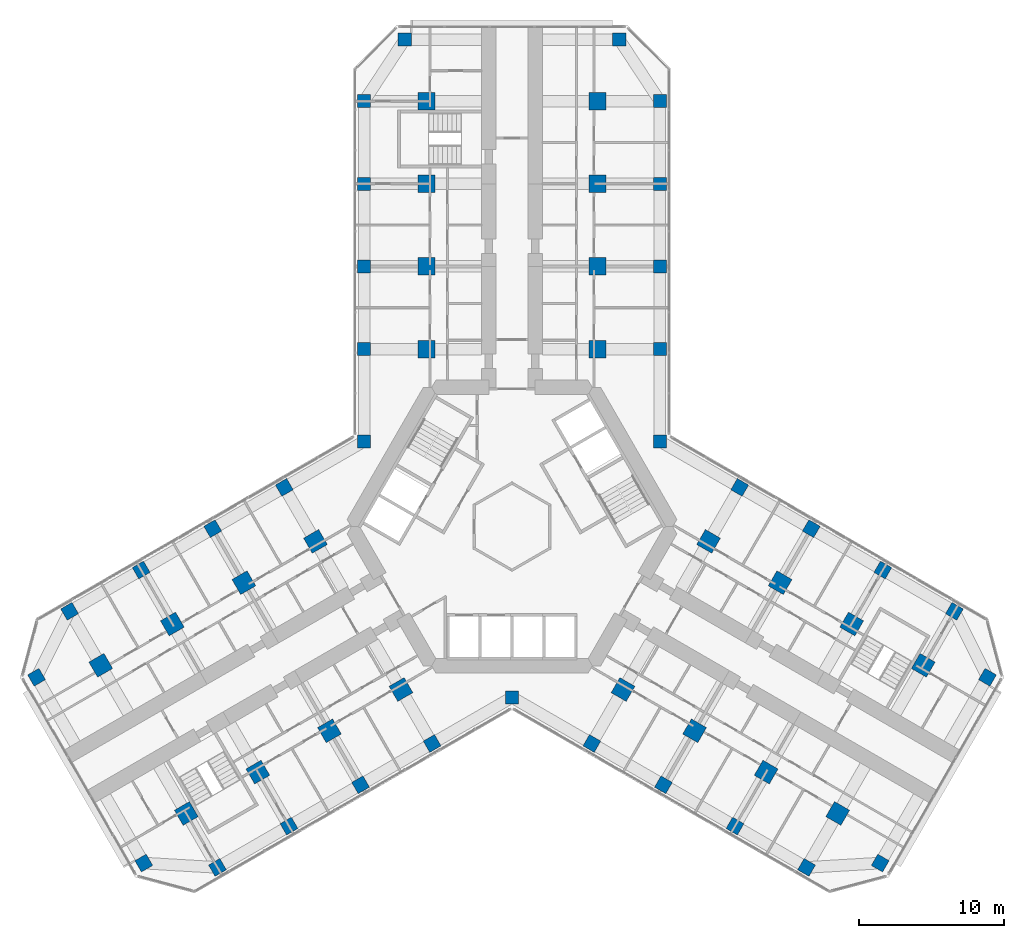
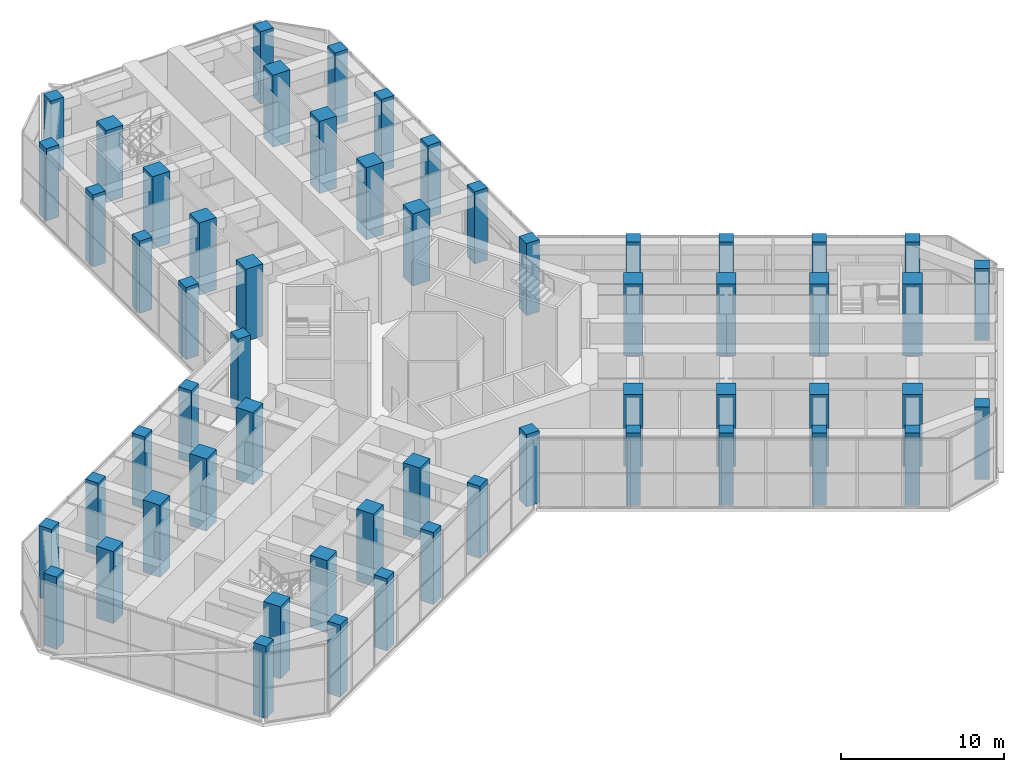
# One storey, part 1 of 23: 57 columns.
"""IFC4 building model written with IfcOpenShell, lengths in metres."""

import ifcopenshell
import ifcopenshell.guid

model = None  # the IFC model being written
_history = None  # IfcOwnerHistory: only IFC2X3 demands one
_inside = {}  # id of a spatial element -> (the spatial element, [elements in it])
_under = {}  # id of a project, library or spatial element -> (it, [spatial elements below it])
_declared = {}  # id of a project -> (the project, [libraries it declares])
_typed = {}  # id of a type object -> (the type object, [elements of that type])
_made_of = {}  # id of a material, layer set ... -> (it, [elements and type objects made of it])


def new_model(schema):
    """Start an empty IFC model of exactly this schema.

    Asked for "IFC4X3", IfcOpenShell would pick the latest addendum, in which some entities
    have other attributes; the version numbers below select the first issue.
    IFC2X3 requires an IfcOwnerHistory on every rooted entity: one is made here for all.
    """
    global model, _history
    if schema == "IFC4X3":
        model = ifcopenshell.file(schema_version=(4, 3, 0, 0))
    else:
        model = ifcopenshell.file(schema=schema)
    _inside.clear()
    _under.clear()
    _declared.clear()
    _typed.clear()
    _made_of.clear()
    _history = None
    if model.schema == "IFC2X3":
        org = make("IfcOrganization", Name="unknown")
        user = make(
            "IfcPersonAndOrganization",
            ThePerson=make("IfcPerson", FamilyName="unknown"),
            TheOrganization=org,
        )
        app = make(
            "IfcApplication",
            ApplicationDeveloper=org,
            Version="unknown",
            ApplicationFullName="unknown",
            ApplicationIdentifier="unknown",
        )
        _history = make(
            "IfcOwnerHistory",
            OwningUser=user,
            OwningApplication=app,
            ChangeAction="ADDED",
            CreationDate=0,
        )
    return model


def make(cls, **values):
    """One entity of the class cls with the attributes given. An attribute that is None is left unset."""
    return model.create_entity(
        cls, **{name: value for name, value in values.items() if value is not None}
    )


def rooted(cls, **values):
    """An entity with a GlobalId (a new one), such as an element, a storey or a relation."""
    return make(cls, GlobalId=ifcopenshell.guid.new(), OwnerHistory=_history, **values)


def si_unit(unit_type, name, prefix=None):
    """IfcSIUnit, for example si_unit("LENGTHUNIT", "METRE", prefix="MILLI")."""
    return make("IfcSIUnit", UnitType=unit_type, Prefix=prefix, Name=name)


def assignment(units):
    """IfcUnitAssignment: the units of a project."""
    return None if units is None else make("IfcUnitAssignment", Units=units)


def point(xyz):
    """IfcCartesianPoint."""
    return None if xyz is None else make("IfcCartesianPoint", Coordinates=xyz)


def direction(xyz):
    """IfcDirection."""
    return None if xyz is None else make("IfcDirection", DirectionRatios=xyz)


def frame(location, z_axis=None, x_axis=None):
    """IfcAxis2Placement3D, a coordinate frame: its origin and axes. An axis left out is left unset."""
    return make(
        "IfcAxis2Placement3D",
        Location=point(location),
        Axis=direction(z_axis),
        RefDirection=direction(x_axis),
    )


def frame_2d(location, x_axis=None):
    """IfcAxis2Placement2D, a coordinate frame in the plane: its origin and x axis."""
    return make(
        "IfcAxis2Placement2D", Location=point(location), RefDirection=direction(x_axis)
    )


def origin():
    """The frame at (0, 0, 0) with its axes left unset."""
    return frame((0.0, 0.0, 0.0))


def origin_2d():
    """The frame at (0, 0) in the plane with its x axis left unset."""
    return frame_2d((0.0, 0.0))


def place(relative_to, where):
    """IfcLocalPlacement: puts the frame where relative to a parent placement (None: the world)."""
    return make(
        "IfcLocalPlacement", PlacementRelTo=relative_to, RelativePlacement=where
    )


def context(
    kind, dimensions, precision=None, world=None, true_north=None, identifier=None
):
    """IfcGeometricRepresentationContext, for example the 3D "Model" context."""
    return make(
        "IfcGeometricRepresentationContext",
        ContextIdentifier=identifier,
        ContextType=kind,
        CoordinateSpaceDimension=dimensions,
        Precision=precision,
        WorldCoordinateSystem=world,
        TrueNorth=true_north,
    )


def subcontext(parent, identifier, kind, view, scale=None):
    """IfcGeometricRepresentationSubContext, for example "Body" below "Model"."""
    return make(
        "IfcGeometricRepresentationSubContext",
        ContextIdentifier=identifier,
        ContextType=kind,
        ParentContext=parent,
        TargetScale=scale,
        TargetView=view,
    )


def project(units=None, contexts=None):
    """IfcProject with its units and contexts."""
    return rooted(
        "IfcProject",
        Name="project",
        RepresentationContexts=contexts,
        UnitsInContext=assignment(units),
    )


def spatial(cls, under=None, at=None, **own):
    """A site, building, storey or space (cls), placed at a placement, below another one or the project."""
    s = rooted(cls, ObjectPlacement=at, **own)
    if under is not None:
        _under.setdefault(under.id(), (under, []))[1].append(s)
    return s


def profile(cls, at=None, kind="AREA", **sizes):
    """A parametric profile (cls). Its sizes go by their IFC names, for example OverallWidth=200.0."""
    return make(cls, ProfileType=kind, Position=at, **sizes)


def rectangle(**sizes):
    """IfcRectangleProfileDef."""
    return profile("IfcRectangleProfileDef", **sizes)


def extrude(swept, where, along, depth):
    """IfcExtrudedAreaSolid: the profile swept, set in the frame where, extruded along a direction by depth."""
    return make(
        "IfcExtrudedAreaSolid",
        SweptArea=swept,
        Position=where,
        ExtrudedDirection=direction(along),
        Depth=depth,
    )


def shape(context_of_items, identifier, shape_type, items):
    """IfcShapeRepresentation: the items that make up one representation, for example the "Body"."""
    return make(
        "IfcShapeRepresentation",
        ContextOfItems=context_of_items,
        RepresentationIdentifier=identifier,
        RepresentationType=shape_type,
        Items=items,
    )


def material(Name=None, Category=None):
    """IfcMaterial."""
    return make("IfcMaterial", Name=Name, Category=Category)


def material_profile(
    of_material, cross_section, Name=None, Category=None, Priority=None
):
    """IfcMaterialProfile: a cross section and its material."""
    return make(
        "IfcMaterialProfile",
        Name=Name,
        Material=of_material,
        Profile=cross_section,
        Priority=Priority,
        Category=Category,
    )


def profile_set(profiles, Name=None, composite=None):
    """IfcMaterialProfileSet."""
    return make(
        "IfcMaterialProfileSet",
        Name=Name,
        MaterialProfiles=profiles,
        CompositeProfile=composite,
    )


def made_of(thing, what):
    """Note that an element or type object is made of a material, layer set ...; save() writes the relation."""
    if what is not None:
        _made_of.setdefault(what.id(), (what, []))[1].append(thing)
    return thing


def type_object(cls, material=None, **own):
    """A type object (cls), such as IfcWallType, which elements share."""
    return made_of(rooted(cls, **own), material)


def element(
    cls,
    number,
    at=None,
    inside=None,
    cuts=None,
    type_object=None,
    material=None,
    context=None,
    identifier="Body",
    shape_type=None,
    held_by="IfcProductDefinitionShape",
    body=None,
    shapes=None,
    **own,
):
    """One element of the class cls, such as IfcWall. Its Tag is "e" and its number.

    at: its placement. inside: the storey or other place that contains it. cuts: it is an
    opening in that element (IfcRelVoidsElement). A single representation is given by context,
    identifier, shape_type and body (its items); several are given by shapes. held_by: the class
    of the entity that holds the representations. save() writes the other relations.
    """
    e = rooted(cls, Tag="e%d" % number, ObjectPlacement=at, **own)
    if body is not None:
        shapes = [shape(context, identifier, shape_type, body)]
    if shapes is not None:
        e.Representation = make(held_by, Representations=shapes)
    if inside is not None:
        _inside.setdefault(inside.id(), (inside, []))[1].append(e)
    if cuts is not None:
        rooted(
            "IfcRelVoidsElement", RelatingBuildingElement=cuts, RelatedOpeningElement=e
        )
    if type_object is not None:
        _typed.setdefault(type_object.id(), (type_object, []))[1].append(e)
    return made_of(e, material)


def aggregate(whole, parts):
    """IfcRelAggregates: a whole, such as a stair, and the parts it consists of."""
    return rooted("IfcRelAggregates", RelatingObject=whole, RelatedObjects=parts)


def save(model, path):
    """Write the relations noted so far, then the file.

    IfcRelAggregates (storeys below a building ...), IfcRelContainedInSpatialStructure (elements
    in a storey), IfcRelDefinesByType, IfcRelAssociatesMaterial and IfcRelDeclares: one each for
    every whole, place, type object, material and project.
    """
    for whole, parts in _under.values():
        aggregate(whole, parts)
    for where, things in _inside.values():
        rooted(
            "IfcRelContainedInSpatialStructure",
            RelatedElements=things,
            RelatingStructure=where,
        )
    for kind, things in _typed.values():
        rooted("IfcRelDefinesByType", RelatedObjects=things, RelatingType=kind)
    for what, things in _made_of.values():
        rooted("IfcRelAssociatesMaterial", RelatedObjects=things, RelatingMaterial=what)
    for by, libraries in _declared.values():
        rooted("IfcRelDeclares", RelatingContext=by, RelatedDefinitions=libraries)
    model.write(path)


model = new_model("IFC4")

# Units and contexts
model_context = context("Model", 3, precision=1e-05, world=origin(), true_north=direction((0.0, 1.0)))
body_context = subcontext(model_context, "Body", "Model", "MODEL_VIEW")
ifc_project = project(units=[si_unit("LENGTHUNIT", "METRE"), si_unit("AREAUNIT", "SQUARE_METRE"), si_unit("VOLUMEUNIT", "CUBIC_METRE"), si_unit("PLANEANGLEUNIT", "RADIAN"), si_unit("MASSUNIT", "GRAM", prefix="KILO")], contexts=[model_context])

# Site, building, storey
site_placement = place(None, origin())
site = spatial("IfcSite", under=ifc_project, at=site_placement, CompositionType="ELEMENT")
building_placement = place(site_placement, origin())
building = spatial("IfcBuilding", under=site, at=building_placement, Name="Kosmar Iwan School Tower", CompositionType="ELEMENT")
storey_placement = place(building_placement, frame((0.0, 0.0, 75.39990234375)))
storey = spatial("IfcBuildingStorey", under=building, at=storey_placement, Name="L18", CompositionType="ELEMENT", Elevation=75.39990234375)

# Columns
ifc_material_1 = material(Name="Concrete C50/60", Category="concrete")
ifc_material_profile_1 = material_profile(ifc_material_1, rectangle(XDim=0.89990234375, YDim=0.89990234375, at=origin_2d()), Name="RC 900x900 + HD 400x634")
ifc_profile_set_1 = profile_set([ifc_material_profile_1], Name="Concrete C50/60")
column_type_1 = type_object("IfcColumnType", Name="Composite column 900x900 HD 400x634", PredefinedType="COLUMN", material=ifc_profile_set_1)
for number, where, z_axis, x_axis, name in (
    (1, (-10.199951171875, 12.25, 0.0), (0.0, 0.0, 1.0), (0.0, 1.0, 0.0), "Column AL1 L18"),
    (2, (-10.199951171875, 17.949951171875, 0.0), (0.0, 0.0, 1.0), (0.0, 1.0, 0.0), "Column AL2 L18"),
    (3, (-10.199951171875, 23.64990234375, 0.0), (0.0, 0.0, 1.0), (0.0, 1.0, 0.0), "Column AL3 L18"),
    (4, (-10.199951171875, 29.35009765625, 0.0), (0.0, 0.0, 1.0), (0.0, 1.0, 0.0), "Column AL4 L18"),
    (5, (-7.39990234375, 33.60009765625, 0.0), (0.0, 0.0, 1.0), (0.0, 1.0, 0.0), "Column ALTIP L18"),
    (6, (10.199951171875, 12.25, 0.0), (0.0, 0.0, 1.0), (0.0, 1.0, 0.0), "Column AR1 L18"),
    (7, (10.199951171875, 17.949951171875, 0.0), (0.0, 0.0, 1.0), (0.0, 1.0, 0.0), "Column AR2 L18"),
    (8, (10.199951171875, 23.64990234375, 0.0), (0.0, 0.0, 1.0), (0.0, 1.0, 0.0), "Column AR3 L18"),
    (9, (10.199951171875, 29.35009765625, 0.0), (0.0, 0.0, 1.0), (0.0, 1.0, 0.0), "Column AR4 L18"),
    (10, (7.39990234375, 33.60009765625, 0.0), (0.0, 0.0, 1.0), (0.0, 1.0, 0.0), "Column ARTIP L18"),
    (11, (-5.5087890625, -14.95849609375, 0.0), (0.0, 0.0, 1.0), (-0.866025403784, -0.5, 0.0), "Column BL1 L18"),
    (12, (-10.445068359375, -17.808349609375, 0.0), (0.0, 0.0, 1.0), (-0.866025403784, -0.5, 0.0), "Column BL2 L18"),
    (13, (-15.381591796875, -20.658447265625, 0.0), (0.0, 0.0, 1.0), (-0.866025403784, -0.5, 0.0), "Column BL3 L18"),
    (14, (-20.31787109375, -23.508544921875, 0.0), (0.0, 0.0, 1.0), (-0.866025403784, -0.5, 0.0), "Column BL4 L18"),
    (15, (-25.3984375, -23.20849609375, 0.0), (0.0, 0.0, 1.0), (-0.866025403784, -0.5, 0.0), "Column BLTIP L18"),
    (16, (-15.708740234375, 2.70849609375, 0.0), (0.0, 0.0, 1.0), (-0.866025403784, -0.5, 0.0), "Column BR1 L18"),
    (17, (-20.645263671875, -0.1416015625, 0.0), (0.0, 0.0, 1.0), (-0.866025403784, -0.5, 0.0), "Column BR2 L18"),
    (18, (-25.58154296875, -2.991455078125, 0.0), (0.0, 0.0, 1.0), (-0.866025403784, -0.5, 0.0), "Column BR3 L18"),
    (19, (-30.517822265625, -5.841552734375, 0.0), (0.0, 0.0, 1.0), (-0.866025403784, -0.5, 0.0), "Column BR4 L18"),
    (20, (-32.79833984375, -10.391357421875, 0.0), (0.0, 0.0, 1.0), (-0.866025403784, -0.5, 0.0), "Column BRTIP L18"),
    (21, (15.708740234375, 2.70849609375, 0.0), (0.0, 0.0, 1.0), (0.866025403784, -0.5, 0.0), "Column CL1 L18"),
    (22, (20.645263671875, -0.1416015625, 0.0), (0.0, 0.0, 1.0), (0.866025403784, -0.5, 0.0), "Column CL2 L18"),
    (23, (25.58154296875, -2.991455078125, 0.0), (0.0, 0.0, 1.0), (0.866025403784, -0.5, 0.0), "Column CL3 L18"),
    (24, (30.517822265625, -5.841552734375, 0.0), (0.0, 0.0, 1.0), (0.866025403784, -0.5, 0.0), "Column CL4 L18"),
    (25, (32.79833984375, -10.391357421875, 0.0), (0.0, 0.0, 1.0), (0.866025403784, -0.5, 0.0), "Column CLTIP L18"),
    (26, (5.5087890625, -14.95849609375, 0.0), (0.0, 0.0, 1.0), (0.866025403784, -0.5, 0.0), "Column CR1 L18"),
    (27, (10.445068359375, -17.808349609375, 0.0), (0.0, 0.0, 1.0), (0.866025403784, -0.5, 0.0), "Column CR2 L18"),
    (28, (15.381591796875, -20.658447265625, 0.0), (0.0, 0.0, 1.0), (0.866025403784, -0.5, 0.0), "Column CR3 L18"),
    (29, (20.31787109375, -23.508544921875, 0.0), (0.0, 0.0, 1.0), (0.866025403784, -0.5, 0.0), "Column CR4 L18"),
    (30, (25.3984375, -23.20849609375, 0.0), (0.0, 0.0, 1.0), (0.866025403784, -0.5, 0.0), "Column CRTIP L18"),
    (31, (-10.199951171875, 5.888916015625, 0.0), (0.0, 0.0, 1.0), (1.0, 0.0, 0.0), "Column RAB L18"),
    (32, (10.199951171875, 5.888916015625, 0.0), (0.0, 0.0, 1.0), (1.0, 0.0, 0.0), "Column RAC L18"),
    (33, (0.0, -11.77783203125, 0.0), (0.0, 0.0, 1.0), (1.0, 0.0, 0.0), "Column RBC L18"),
):
    element("IfcColumn", number, at=place(storey_placement, frame(where, z_axis=z_axis, x_axis=x_axis)), inside=storey, type_object=column_type_1, Name=name, PredefinedType="COLUMN", context=body_context, shape_type="SweptSolid", body=[
        extrude(rectangle(XDim=0.89990234375, YDim=0.89990234375, at=origin_2d()), origin(), (0.0, 0.0, 1.0), 5.400146484375),
    ])
ifc_material_2 = material(Name="Concrete C50/60", Category="concrete")
ifc_material_profile_2 = material_profile(ifc_material_2, rectangle(XDim=1.199951171875, YDim=1.199951171875, at=origin_2d()), Name="RC 1200x1200")
ifc_profile_set_2 = profile_set([ifc_material_profile_2], Name="Concrete C50/60")
column_type_2 = type_object("IfcColumnType", Name="RC interior column 1200x1200", PredefinedType="COLUMN", material=ifc_profile_set_2)
for number, where, z_axis, x_axis, name in (
    (34, (-5.89990234375, 12.25, 0.0), (0.0, 0.0, 1.0), (0.0, 1.0, 0.0), "Interior column ALI1 L18"),
    (35, (-5.89990234375, 17.949951171875, 0.0), (0.0, 0.0, 1.0), (0.0, 1.0, 0.0), "Interior column ALI2 L18"),
    (36, (-5.89990234375, 23.64990234375, 0.0), (0.0, 0.0, 1.0), (0.0, 1.0, 0.0), "Interior column ALI3 L18"),
    (37, (-5.89990234375, 29.35009765625, 0.0), (0.0, 0.0, 1.0), (0.0, 1.0, 0.0), "Interior column ALI4 L18"),
    (38, (5.89990234375, 12.25, 0.0), (0.0, 0.0, 1.0), (0.0, 1.0, 0.0), "Interior column ARI1 L18"),
    (39, (5.89990234375, 17.949951171875, 0.0), (0.0, 0.0, 1.0), (0.0, 1.0, 0.0), "Interior column ARI2 L18"),
    (40, (5.89990234375, 23.64990234375, 0.0), (0.0, 0.0, 1.0), (0.0, 1.0, 0.0), "Interior column ARI3 L18"),
    (41, (5.89990234375, 29.35009765625, 0.0), (0.0, 0.0, 1.0), (0.0, 1.0, 0.0), "Interior column ARI4 L18"),
    (42, (-7.65869140625, -11.234619140625, 0.0), (0.0, 0.0, 1.0), (-0.866025403784, -0.5, 0.0), "Interior column BLI1 L18"),
    (43, (-12.59521484375, -14.08447265625, 0.0), (0.0, 0.0, 1.0), (-0.866025403784, -0.5, 0.0), "Interior column BLI2 L18"),
    (44, (-17.531494140625, -16.9345703125, 0.0), (0.0, 0.0, 1.0), (-0.866025403784, -0.5, 0.0), "Interior column BLI3 L18"),
    (45, (-22.4677734375, -19.78466796875, 0.0), (0.0, 0.0, 1.0), (-0.866025403784, -0.5, 0.0), "Interior column BLI4 L18"),
    (46, (-13.558837890625, -1.015380859375, 0.0), (0.0, 0.0, 1.0), (-0.866025403784, -0.5, 0.0), "Interior column BRI1 L18"),
    (47, (-18.4951171875, -3.865478515625, 0.0), (0.0, 0.0, 1.0), (-0.866025403784, -0.5, 0.0), "Interior column BRI2 L18"),
    (48, (-23.431396484375, -6.71533203125, 0.0), (0.0, 0.0, 1.0), (-0.866025403784, -0.5, 0.0), "Interior column BRI3 L18"),
    (49, (-28.367919921875, -9.5654296875, 0.0), (0.0, 0.0, 1.0), (-0.866025403784, -0.5, 0.0), "Interior column BRI4 L18"),
    (50, (13.558837890625, -1.015380859375, 0.0), (0.0, 0.0, 1.0), (0.866025403784, -0.5, 0.0), "Interior column CLI1 L18"),
    (51, (18.4951171875, -3.865478515625, 0.0), (0.0, 0.0, 1.0), (0.866025403784, -0.5, 0.0), "Interior column CLI2 L18"),
    (52, (23.431396484375, -6.71533203125, 0.0), (0.0, 0.0, 1.0), (0.866025403784, -0.5, 0.0), "Interior column CLI3 L18"),
    (53, (28.367919921875, -9.5654296875, 0.0), (0.0, 0.0, 1.0), (0.866025403784, -0.5, 0.0), "Interior column CLI4 L18"),
    (54, (7.65869140625, -11.234619140625, 0.0), (0.0, 0.0, 1.0), (0.866025403784, -0.5, 0.0), "Interior column CRI1 L18"),
    (55, (12.59521484375, -14.08447265625, 0.0), (0.0, 0.0, 1.0), (0.866025403784, -0.5, 0.0), "Interior column CRI2 L18"),
    (56, (17.531494140625, -16.9345703125, 0.0), (0.0, 0.0, 1.0), (0.866025403784, -0.5, 0.0), "Interior column CRI3 L18"),
    (57, (22.4677734375, -19.78466796875, 0.0), (0.0, 0.0, 1.0), (0.866025403784, -0.5, 0.0), "Interior column CRI4 L18"),
):
    element("IfcColumn", number, at=place(storey_placement, frame(where, z_axis=z_axis, x_axis=x_axis)), inside=storey, type_object=column_type_2, Name=name, PredefinedType="COLUMN", context=body_context, shape_type="SweptSolid", body=[
        extrude(rectangle(XDim=1.199951171875, YDim=1.199951171875, at=origin_2d()), origin(), (0.0, 0.0, 1.0), 5.400146484375),
    ])

save(model, "model.ifc")
